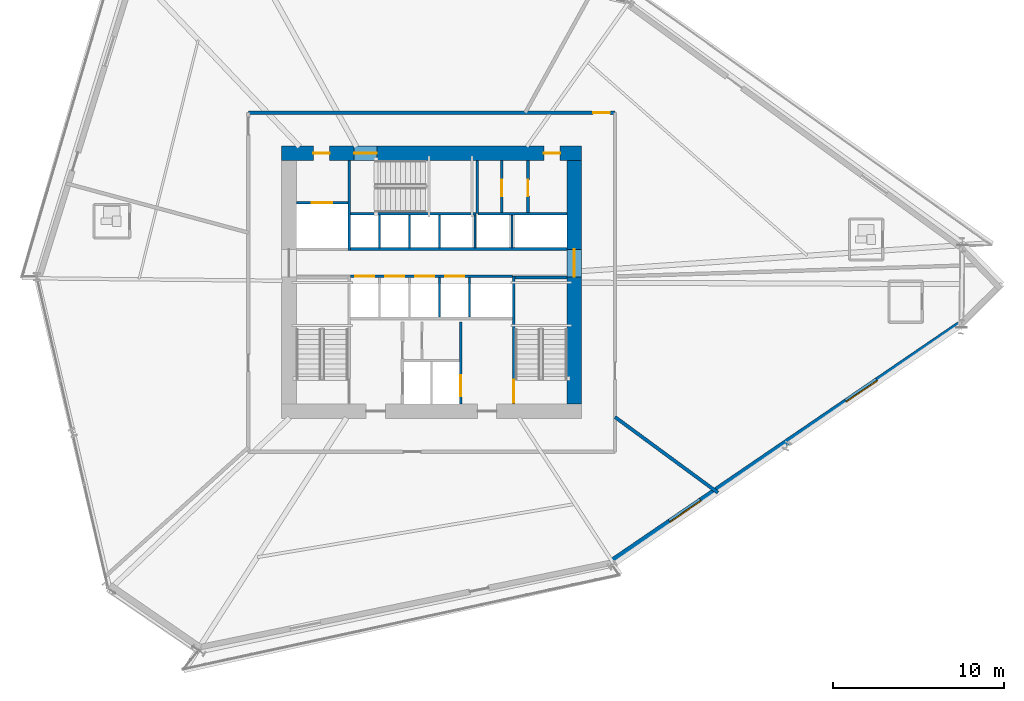
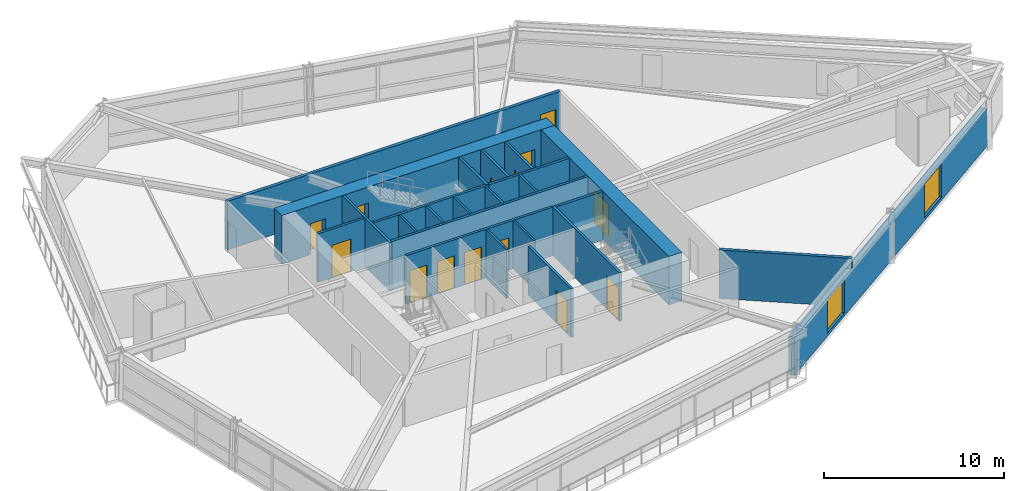
# One storey, part 17 of 23: 24 walls, 14 doors, 2 windows, 16 openings.
"""IFC4 building model written with IfcOpenShell, lengths in metres."""

from ifc_helpers import new_model, si_unit, direction, frame, frame_2d, origin, place, context, subcontext, project, spatial, rectangle, extrude, source, transform, mapped, material, layer, layer_set, type_object, type_shapes, element, fill, save


model = new_model("IFC4")

# Units and contexts
model_context = context("Model", 3, precision=1e-05, world=origin(), true_north=direction((0.0, 1.0)))
body_context = subcontext(model_context, "Body", "Model", "MODEL_VIEW")
ifc_project = project(units=[si_unit("LENGTHUNIT", "METRE"), si_unit("AREAUNIT", "SQUARE_METRE"), si_unit("VOLUMEUNIT", "CUBIC_METRE"), si_unit("PLANEANGLEUNIT", "RADIAN"), si_unit("MASSUNIT", "GRAM", prefix="KILO")], contexts=[model_context])

# Site, building, storey
site_placement = place(None, origin())
site = spatial("IfcSite", under=ifc_project, at=site_placement, CompositionType="ELEMENT")
building_placement = place(site_placement, origin())
building = spatial("IfcBuilding", under=site, at=building_placement, Name="Olszyna Solenne Hotel", CompositionType="ELEMENT")
storey_placement = place(building_placement, frame((0.0, 0.0, 32.85009765625)))
storey = spatial("IfcBuildingStorey", under=building, at=storey_placement, Name="L07", CompositionType="ELEMENT", Elevation=32.85009765625)

# Wall, openings, doors
ifc_material_1 = material(Name="Concrete C60/75", Category="concrete")
ifc_layer_1 = layer(ifc_material_1, 0.85009765625, Name="Concrete C60/75")
ifc_layer_set_1 = layer_set([ifc_layer_1], Name="Concrete C60/75")
wall_type_1 = type_object("IfcWallType", Name="WL-CR850", PredefinedType="SHEAR", material=ifc_layer_set_1)
wall_1_placement = place(storey_placement, frame((29.25, 34.125, 0.0), z_axis=(0.0, 0.0, 1.0), x_axis=(1.0, 0.0, 0.0)))
wall_1 = element("IfcWall", 1, at=wall_1_placement, inside=storey, type_object=wall_type_1, Name="Core shear wall WL-CR850 CRW-L07-N", PredefinedType="SHEAR", context=body_context, shape_type="SweptSolid", body=[
    extrude(rectangle(XDim=17.5, YDim=0.85009765625, at=frame_2d((8.75, 0.0))), origin(), (0.0, 0.0, 1.0), 3.2998046875),
])
opening_1_placement = place(wall_1_placement, frame((1.85009765625, 0.0, 0.0)))
opening_1 = element("IfcOpeningElement", 2, at=opening_1_placement, cuts=wall_1, Name="Opening SVD-L07-01", PredefinedType="OPENING", context=body_context, shape_type="SweptSolid", body=[
    extrude(rectangle(XDim=0.949951171875, YDim=2.10009765625, at=frame_2d((0.47509765625, 1.050048828125))), frame((0.0, 0.43505859375, 0.0), z_axis=(0.0, -1.0, 0.0), x_axis=(1.0, 0.0, 0.0)), (0.0, 0.0, 1.0), 0.8701171875),
])
opening_2_placement = place(wall_1_placement, frame((4.22998046875, 0.0, 0.0)))
opening_2 = element("IfcOpeningElement", 3, at=opening_2_placement, cuts=wall_1, Name="Opening STD-L07-03", PredefinedType="OPENING", context=body_context, shape_type="SweptSolid", body=[
    extrude(rectangle(XDim=1.320068359375, YDim=2.199951171875, at=frame_2d((0.66015625, 1.10009765625))), frame((0.0, 0.43505859375, 0.0), z_axis=(0.0, -1.0, 0.0), x_axis=(1.0, 0.0, 0.0)), (0.0, 0.0, 1.0), 0.8701171875),
])
opening_3_placement = place(wall_1_placement, frame((15.300048828125, 0.0, 0.0)))
opening_3 = element("IfcOpeningElement", 4, at=opening_3_placement, cuts=wall_1, Name="Opening SVD-L07-BN", PredefinedType="OPENING", context=body_context, shape_type="SweptSolid", body=[
    extrude(rectangle(XDim=0.949951171875, YDim=2.10009765625, at=frame_2d((0.47509765625, 1.050048828125))), frame((0.0, 0.43505859375, 0.0), z_axis=(0.0, -1.0, 0.0), x_axis=(1.0, 0.0, 0.0)), (0.0, 0.0, 1.0), 0.8701171875),
])
ifc_material_2 = material(Name="Steel S355J2", Category="steel")
door_type_1 = type_object("IfcDoorType", Name="DR-ST1", OperationType="NOTDEFINED", PredefinedType="DOOR", material=ifc_material_2)
shared_shape_1 = source(origin(), body_context, "Body", "SweptSolid", [
    extrude(rectangle(XDim=1.320068359375, YDim=2.199951171875, at=frame_2d((0.66015625, 1.10009765625))), frame((0.0, 0.02490234375, 0.0), z_axis=(0.0, -1.0, 0.0), x_axis=(1.0, 0.0, 0.0)), (0.0, 0.0, 1.0), 0.050048828125),
])
type_shapes(door_type_1, [shared_shape_1])
door_1_placement = place(opening_2_placement, origin())
door_1 = element("IfcDoor", 5, at=door_1_placement, inside=storey, type_object=door_type_1, Name="Pressurised exit stair ST3 fire door STD-L07-03", OperationType="SINGLE_SWING_RIGHT", OverallHeight=2.199951171875, OverallWidth=1.320068359375, PredefinedType="DOOR", context=body_context, shape_type="MappedRepresentation", body=[
    mapped(shared_shape_1, transform((0.0, 0.0, 0.0), x_axis=(1.0, 0.0, 0.0), y_axis=(0.0, 1.0, 0.0), z_axis=(0.0, 0.0, 1.0), scale=1.0)),
])
fill(opening_2, door_1)
door_type_2 = type_object("IfcDoorType", Name="DR-SV1", OperationType="NOTDEFINED", PredefinedType="DOOR", material=ifc_material_2)
shared_shape_2 = source(origin(), body_context, "Body", "SweptSolid", [
    extrude(rectangle(XDim=0.949951171875, YDim=2.10009765625, at=frame_2d((0.47509765625, 1.050048828125))), frame((0.0, 0.02490234375, 0.0), z_axis=(0.0, -1.0, 0.0), x_axis=(1.0, 0.0, 0.0)), (0.0, 0.0, 1.0), 0.050048828125),
])
type_shapes(door_type_2, [shared_shape_2])
door_2_placement = place(opening_1_placement, origin())
door_2 = element("IfcDoor", 6, at=door_2_placement, inside=storey, type_object=door_type_2, Name="Service lift lobby fire door SVD-L07-01", OperationType="SINGLE_SWING_LEFT", OverallHeight=2.10009765625, OverallWidth=0.949951171875, PredefinedType="DOOR", context=body_context, shape_type="MappedRepresentation", body=[
    mapped(shared_shape_2, transform((0.0, 0.0, 0.0), x_axis=(1.0, 0.0, 0.0), y_axis=(0.0, 1.0, 0.0), z_axis=(0.0, 0.0, 1.0), scale=1.0)),
])
fill(opening_1, door_2)
door_3_placement = place(opening_3_placement, origin())
door_3 = element("IfcDoor", 7, at=door_3_placement, inside=storey, type_object=door_type_2, Name="Housekeeping core fire door SVD-L07-BN", OperationType="SINGLE_SWING_LEFT", OverallHeight=2.10009765625, OverallWidth=0.949951171875, PredefinedType="DOOR", context=body_context, shape_type="MappedRepresentation", body=[
    mapped(shared_shape_2, transform((0.0, 0.0, 0.0), x_axis=(1.0, 0.0, 0.0), y_axis=(0.0, 1.0, 0.0), z_axis=(0.0, 0.0, 1.0), scale=1.0)),
])
fill(opening_3, door_3)

# Wall, opening, door
wall_2_placement = place(storey_placement, frame((46.324951171875, 33.699951171875, 0.0), z_axis=(0.0, 0.0, 1.0), x_axis=(0.0, -1.0, 0.0)))
wall_2 = element("IfcWall", 8, at=wall_2_placement, inside=storey, type_object=wall_type_1, Name="Core shear wall WL-CR850 CRW-L07-E", PredefinedType="SHEAR", context=body_context, shape_type="SweptSolid", body=[
    extrude(rectangle(XDim=14.199951171875, YDim=0.85009765625, at=frame_2d((7.10009765625, 0.0))), origin(), (0.0, 0.0, 1.0), 3.2998046875),
])
opening_4_placement = place(wall_2_placement, frame((5.179931640625, 0.0, 0.0)))
opening_4 = element("IfcOpeningElement", 9, at=opening_4_placement, cuts=wall_2, Name="Opening LHD-L07-E", PredefinedType="OPENING", context=body_context, shape_type="SweptSolid", body=[
    extrude(rectangle(XDim=1.60009765625, YDim=2.199951171875, at=frame_2d((0.800048828125, 1.10009765625))), frame((0.0, 0.43505859375, 0.0), z_axis=(0.0, -1.0, 0.0), x_axis=(1.0, 0.0, 0.0)), (0.0, 0.0, 1.0), 0.8701171875),
])
ifc_material_3 = material(Name="Timber hardwood", Category="wood")
door_type_3 = type_object("IfcDoorType", Name="DR-CR1", OperationType="DOUBLE_DOOR_SINGLE_SWING", PredefinedType="DOOR", material=ifc_material_3)
shared_shape_3 = source(origin(), body_context, "Body", "SweptSolid", [
    extrude(rectangle(XDim=1.60009765625, YDim=2.199951171875, at=frame_2d((0.800048828125, 1.10009765625))), frame((0.0, 0.02490234375, 0.0), z_axis=(0.0, -1.0, 0.0), x_axis=(1.0, 0.0, 0.0)), (0.0, 0.0, 1.0), 0.050048828125),
])
type_shapes(door_type_3, [shared_shape_3])
door_4_placement = place(opening_4_placement, origin())
door_4 = element("IfcDoor", 10, at=door_4_placement, inside=storey, type_object=door_type_3, Name="Passenger lift lobby East fire door LHD-L07-E", OperationType="DOUBLE_DOOR_SINGLE_SWING", OverallHeight=2.199951171875, OverallWidth=1.60009765625, PredefinedType="DOOR", context=body_context, shape_type="MappedRepresentation", body=[
    mapped(shared_shape_3, transform((0.0, 0.0, 0.0), x_axis=(1.0, 0.0, 0.0), y_axis=(0.0, 1.0, 0.0), z_axis=(0.0, 0.0, 1.0), scale=1.0)),
])
fill(opening_4, door_4)

# Wall, openings, windows
ifc_material_4 = material(Name="Terracotta cladding on precast concrete C45/55", Category="masonry")
ifc_layer_2 = layer(ifc_material_4, 0.3798828125, Name="Terracotta cladding on precast concrete C45/55")
ifc_layer_set_2 = layer_set([ifc_layer_2], Name="Terracotta cladding on precast concrete C45/55")
wall_type_2 = type_object("IfcWallType", Name="WL-EX380", PredefinedType="SOLIDWALL", material=ifc_layer_set_2)
wall_3_placement = place(storey_placement, frame((68.805419921875, 24.132080078125, 0.0), z_axis=(0.0, 0.0, 1.0), x_axis=(-0.826173505972, -0.563415777229, 0.0)))
wall_3 = element("IfcWall", 11, at=wall_3_placement, inside=storey, type_object=wall_type_2, Name="Exterior terracotta-precast frame wall WL-EX380 EW-L07-10", PredefinedType="SOLIDWALL", context=body_context, shape_type="SweptSolid", body=[
    extrude(rectangle(XDim=24.65869140625, YDim=0.3798828125, at=frame_2d((12.329345703125, 0.0))), origin(), (0.0, 0.0, 1.0), 2.591796875),
])
opening_5_placement = place(wall_3_placement, frame((5.803955078125, 0.0, 0.221923828125)))
opening_5 = element("IfcOpeningElement", 12, at=opening_5_placement, cuts=wall_3, Name="Opening WN-L07-029", PredefinedType="OPENING", context=body_context, shape_type="SweptSolid", body=[
    extrude(rectangle(XDim=2.199951171875, YDim=2.25, at=frame_2d((1.10009765625, 1.125))), frame((0.0, 0.199951171875, 0.0), z_axis=(0.0, -1.0, 0.0), x_axis=(1.0, 0.0, 0.0)), (0.0, 0.0, 1.0), 0.39990234375),
])
opening_6_placement = place(wall_3_placement, frame((18.25390625, 0.0, 0.221923828125)))
opening_6 = element("IfcOpeningElement", 13, at=opening_6_placement, cuts=wall_3, Name="Opening WN-L07-030", PredefinedType="OPENING", context=body_context, shape_type="SweptSolid", body=[
    extrude(rectangle(XDim=2.199951171875, YDim=2.25, at=frame_2d((1.10009765625, 1.125))), frame((0.0, 0.199951171875, 0.0), z_axis=(0.0, -1.0, 0.0), x_axis=(1.0, 0.0, 0.0)), (0.0, 0.0, 1.0), 0.39990234375),
])
ifc_material_5 = material(Name="Low-E triple glazing", Category="glass")
window_type = type_object("IfcWindowType", Name="WN-HT2", PartitioningType="SINGLE_PANEL", PredefinedType="WINDOW", material=ifc_material_5)
shared_shape_4 = source(origin(), body_context, "Body", "SweptSolid", [
    extrude(rectangle(XDim=2.199951171875, YDim=2.25, at=frame_2d((1.10009765625, 1.125))), frame((0.0, 0.030029296875, 0.0), z_axis=(0.0, -1.0, 0.0), x_axis=(1.0, 0.0, 0.0)), (0.0, 0.0, 1.0), 0.06005859375),
])
type_shapes(window_type, [shared_shape_4])
window_1_placement = place(opening_5_placement, origin())
window_1 = element("IfcWindow", 14, at=window_1_placement, inside=storey, type_object=window_type, Name="Exterior facade window WN-HT2 WN-L07-029", OverallHeight=2.25, OverallWidth=2.199951171875, PartitioningType="SINGLE_PANEL", PredefinedType="WINDOW", context=body_context, shape_type="MappedRepresentation", body=[
    mapped(shared_shape_4, transform((0.0, 0.0, 0.0), x_axis=(1.0, 0.0, 0.0), y_axis=(0.0, 1.0, 0.0), z_axis=(0.0, 0.0, 1.0), scale=1.0)),
])
fill(opening_5, window_1)
window_2_placement = place(opening_6_placement, origin())
window_2 = element("IfcWindow", 15, at=window_2_placement, inside=storey, type_object=window_type, Name="Exterior facade window WN-HT2 WN-L07-030", OverallHeight=2.25, OverallWidth=2.199951171875, PartitioningType="SINGLE_PANEL", PredefinedType="WINDOW", context=body_context, shape_type="MappedRepresentation", body=[
    mapped(shared_shape_4, transform((0.0, 0.0, 0.0), x_axis=(1.0, 0.0, 0.0), y_axis=(0.0, 1.0, 0.0), z_axis=(0.0, 0.0, 1.0), scale=1.0)),
])
fill(opening_6, window_2)

# Walls
ifc_material_6 = material(Name="Acoustic gypsum partition", Category="gypsum")
ifc_layer_3 = layer(ifc_material_6, 0.125, Name="Acoustic gypsum partition")
ifc_layer_set_3 = layer_set([ifc_layer_3], Name="Acoustic gypsum partition")
wall_type_3 = type_object("IfcWallType", Name="WL-PT125", PredefinedType="PARTITIONING", material=ifc_layer_set_3)
for number, where, z_axis, x_axis, name in (
    (16, (38.465087890625, 24.56005859375, 0.0), (0.0, 0.0, 1.0), (0.0, 1.0, 0.0), "Core shaft compartment wall CW-L07-DIVS384"),
    (17, (40.215087890625, 24.56005859375, 0.0), (0.0, 0.0, 1.0), (0.0, 1.0, 0.0), "Core shaft compartment wall CW-L07-DIVS402"),
):
    element("IfcWall", number, at=place(storey_placement, frame(where, z_axis=z_axis, x_axis=x_axis)), inside=storey, type_object=wall_type_3, Name=name, PredefinedType="PARTITIONING", context=body_context, shape_type="SweptSolid", body=[
        extrude(rectangle(XDim=2.31005859375, YDim=0.125, at=frame_2d((1.155029296875, 0.0))), origin(), (0.0, 0.0, 1.0), 3.2998046875),
    ])
for number, where, z_axis, x_axis, name in (
    (18, (34.965087890625, 28.60009765625, 0.0), (0.0, 0.0, 1.0), (0.0, 1.0, 0.0), "Core shaft compartment wall CW-L07-DIVN349"),
    (19, (36.715087890625, 28.60009765625, 0.0), (0.0, 0.0, 1.0), (0.0, 1.0, 0.0), "Core shaft compartment wall CW-L07-DIVN367"),
    (20, (38.465087890625, 28.60009765625, 0.0), (0.0, 0.0, 1.0), (0.0, 1.0, 0.0), "Core shaft compartment wall CW-L07-DIVN384"),
    (21, (40.52490234375, 28.60009765625, 0.0), (0.0, 0.0, 1.0), (0.0, 1.0, 0.0), "Core shaft compartment wall CW-L07-DIVEX405"),
    (22, (42.699951171875, 28.60009765625, 0.0), (0.0, 0.0, 1.0), (0.0, 1.0, 0.0), "Core shaft compartment wall CW-L07-DIVEX427"),
):
    element("IfcWall", number, at=place(storey_placement, frame(where, z_axis=z_axis, x_axis=x_axis)), inside=storey, type_object=wall_type_3, Name=name, PredefinedType="PARTITIONING", context=body_context, shape_type="SweptSolid", body=[
        extrude(rectangle(XDim=1.919921875, YDim=0.125, at=frame_2d((0.9599609375, 0.0))), origin(), (0.0, 0.0, 1.0), 3.2998046875),
    ])

# Wall, opening, door
ifc_layer_4 = layer(ifc_material_6, 0.159912109375, Name="Acoustic gypsum partition")
ifc_layer_set_4 = layer_set([ifc_layer_4], Name="Acoustic gypsum partition")
wall_type_4 = type_object("IfcWallType", Name="WL-PT160", PredefinedType="PARTITIONING", material=ifc_layer_set_4)
wall_4_placement = place(storey_placement, frame((42.800048828125, 26.9599609375, 0.0), z_axis=(0.0, 0.0, 1.0), x_axis=(0.0, -1.0, 0.0)))
wall_4 = element("IfcWall", 23, at=wall_4_placement, inside=storey, type_object=wall_type_4, Name="Core shaft compartment wall CW-L07-ST2W", PredefinedType="PARTITIONING", context=body_context, shape_type="SweptSolid", body=[
    extrude(rectangle(XDim=7.4599609375, YDim=0.159912109375, at=frame_2d((3.72998046875, 0.0))), origin(), (0.0, 0.0, 1.0), 3.2998046875),
])
opening_7_placement = place(wall_4_placement, frame((6.06005859375, 0.0, 0.0)))
opening_7 = element("IfcOpeningElement", 24, at=opening_7_placement, cuts=wall_4, Name="Opening STD-L07-02", PredefinedType="OPENING", context=body_context, shape_type="SweptSolid", body=[
    extrude(rectangle(XDim=1.320068359375, YDim=2.199951171875, at=frame_2d((0.66015625, 1.10009765625))), frame((0.0, 0.08984375, 0.0), z_axis=(0.0, -1.0, 0.0), x_axis=(1.0, 0.0, 0.0)), (0.0, 0.0, 1.0), 0.179931640625),
])
door_5_placement = place(opening_7_placement, origin())
door_5 = element("IfcDoor", 25, at=door_5_placement, inside=storey, type_object=door_type_1, Name="Pressurised exit stair ST2 fire door STD-L07-02", OperationType="SINGLE_SWING_RIGHT", OverallHeight=2.199951171875, OverallWidth=1.320068359375, PredefinedType="DOOR", context=body_context, shape_type="MappedRepresentation", body=[
    mapped(shared_shape_1, transform((0.0, 0.0, 0.0), x_axis=(1.0, 0.0, 0.0), y_axis=(0.0, 1.0, 0.0), z_axis=(0.0, 0.0, 1.0), scale=1.0)),
])
fill(opening_7, door_5)

# Walls
wall_5_placement = place(storey_placement, frame((42.8798828125, 26.8798828125, 0.0), z_axis=(0.0, 0.0, 1.0), x_axis=(1.0, 0.0, 0.0)))
element("IfcWall", 26, at=wall_5_placement, inside=storey, type_object=wall_type_4, Name="Core shaft compartment wall CW-L07-ST2N", PredefinedType="PARTITIONING", context=body_context, shape_type="SweptSolid", body=[
    extrude(rectangle(XDim=3.02001953125, YDim=0.159912109375, at=frame_2d((1.510009765625, 0.0))), origin(), (0.0, 0.0, 1.0), 3.2998046875),
])
wall_6_placement = place(storey_placement, frame((33.280029296875, 30.60009765625, 0.0), z_axis=(0.0, 0.0, 1.0), x_axis=(1.0, 0.0, 0.0)))
element("IfcWall", 27, at=wall_6_placement, inside=storey, type_object=wall_type_4, Name="Core shaft compartment wall CW-L07-ST3S", PredefinedType="PARTITIONING", context=body_context, shape_type="SweptSolid", body=[
    extrude(rectangle(XDim=7.300048828125, YDim=0.159912109375, at=frame_2d((3.64990234375, 0.0))), origin(), (0.0, 0.0, 1.0), 3.2998046875),
])
wall_7_placement = place(storey_placement, frame((40.659912109375, 30.60009765625, 0.0), z_axis=(0.0, 0.0, 1.0), x_axis=(0.0, 1.0, 0.0)))
element("IfcWall", 28, at=wall_7_placement, inside=storey, type_object=wall_type_4, Name="Core shaft compartment wall CW-L07-ST3E", PredefinedType="PARTITIONING", context=body_context, shape_type="SweptSolid", body=[
    extrude(rectangle(XDim=3.099853515625, YDim=0.159912109375, at=frame_2d((1.5498046875, 0.0))), origin(), (0.0, 0.0, 1.0), 3.2998046875),
])

# Wall, opening, door
wall_8_placement = place(storey_placement, frame((39.699951171875, 24.280029296875, 0.0), z_axis=(0.0, 0.0, 1.0), x_axis=(0.0, -1.0, 0.0)))
wall_8 = element("IfcWall", 29, at=wall_8_placement, inside=storey, type_object=wall_type_4, Name="Core shaft compartment wall CW-L07-FF2E", PredefinedType="PARTITIONING", context=body_context, shape_type="SweptSolid", body=[
    extrude(rectangle(XDim=4.780029296875, YDim=0.159912109375, at=frame_2d((2.39013671875, 0.0))), origin(), (0.0, 0.0, 1.0), 3.2998046875),
])
opening_8_placement = place(wall_8_placement, frame((3.1201171875, 0.0, 0.0)))
opening_8 = element("IfcOpeningElement", 30, at=opening_8_placement, cuts=wall_8, Name="Opening LD-L07-FF2", PredefinedType="OPENING", context=body_context, shape_type="SweptSolid", body=[
    extrude(rectangle(XDim=1.199951171875, YDim=2.199951171875, at=frame_2d((0.60009765625, 1.10009765625))), frame((0.0, 0.08984375, 0.0), z_axis=(0.0, -1.0, 0.0), x_axis=(1.0, 0.0, 0.0)), (0.0, 0.0, 1.0), 0.179931640625),
])
door_type_4 = type_object("IfcDoorType", Name="LD-FF1", OperationType="DOUBLE_DOOR_SLIDING", PredefinedType="DOOR", material=ifc_material_2)
shared_shape_5 = source(origin(), body_context, "Body", "SweptSolid", [
    extrude(rectangle(XDim=1.199951171875, YDim=2.199951171875, at=frame_2d((0.60009765625, 1.10009765625))), frame((0.0, 0.02490234375, 0.0), z_axis=(0.0, -1.0, 0.0), x_axis=(1.0, 0.0, 0.0)), (0.0, 0.0, 1.0), 0.050048828125),
])
type_shapes(door_type_4, [shared_shape_5])
door_6_placement = place(opening_8_placement, origin())
door_6 = element("IfcDoor", 31, at=door_6_placement, inside=storey, type_object=door_type_4, Name="Firefighters lift FF2 sliding landing door LD-L07-FF2", OperationType="DOUBLE_DOOR_SLIDING", OverallHeight=2.199951171875, OverallWidth=1.199951171875, PredefinedType="DOOR", context=body_context, shape_type="MappedRepresentation", body=[
    mapped(shared_shape_5, transform((0.0, 0.0, 0.0), x_axis=(1.0, 0.0, 0.0), y_axis=(0.0, 1.0, 0.0), z_axis=(0.0, 0.0, 1.0), scale=1.0)),
])
fill(opening_8, door_6)

# Wall
wall_9_placement = place(storey_placement, frame((33.199951171875, 28.43994140625, 0.0), z_axis=(0.0, 0.0, 1.0), x_axis=(0.0, 1.0, 0.0)))
element("IfcWall", 32, at=wall_9_placement, inside=storey, type_object=wall_type_4, Name="Core shaft compartment wall CW-L07-SV1E", PredefinedType="PARTITIONING", context=body_context, shape_type="SweptSolid", body=[
    extrude(rectangle(XDim=5.260009765625, YDim=0.159912109375, at=frame_2d((2.6298828125, 0.0))), origin(), (0.0, 0.0, 1.0), 3.2998046875),
])

# Wall, opening, door
wall_10_placement = place(storey_placement, frame((30.10009765625, 31.239990234375, 0.0), z_axis=(0.0, 0.0, 1.0), x_axis=(1.0, 0.0, 0.0)))
wall_10 = element("IfcWall", 33, at=wall_10_placement, inside=storey, type_object=wall_type_4, Name="Core shaft compartment wall CW-L07-SV1N", PredefinedType="PARTITIONING", context=body_context, shape_type="SweptSolid", body=[
    extrude(rectangle(XDim=3.02001953125, YDim=0.159912109375, at=frame_2d((1.510009765625, 0.0))), origin(), (0.0, 0.0, 1.0), 3.2998046875),
])
opening_9_placement = place(wall_10_placement, frame((0.909912109375, 0.0, 0.0)))
opening_9 = element("IfcOpeningElement", 34, at=opening_9_placement, cuts=wall_10, Name="Opening LD-L07-SV1", PredefinedType="OPENING", context=body_context, shape_type="SweptSolid", body=[
    extrude(rectangle(XDim=1.199951171875, YDim=2.199951171875, at=frame_2d((0.60009765625, 1.10009765625))), frame((0.0, 0.08984375, 0.0), z_axis=(0.0, -1.0, 0.0), x_axis=(1.0, 0.0, 0.0)), (0.0, 0.0, 1.0), 0.179931640625),
])
door_7_placement = place(opening_9_placement, origin())
door_7 = element("IfcDoor", 35, at=door_7_placement, inside=storey, type_object=door_type_4, Name="Service lift SV1 sliding landing door LD-L07-SV1", OperationType="DOUBLE_DOOR_SLIDING", OverallHeight=2.199951171875, OverallWidth=1.199951171875, PredefinedType="DOOR", context=body_context, shape_type="MappedRepresentation", body=[
    mapped(shared_shape_5, transform((0.0, 0.0, 0.0), x_axis=(1.0, 0.0, 0.0), y_axis=(0.0, 1.0, 0.0), z_axis=(0.0, 0.0, 1.0), scale=1.0)),
])
fill(opening_9, door_7)

# Wall, openings, doors
wall_11_placement = place(storey_placement, frame((33.280029296875, 26.949951171875, 0.0), z_axis=(0.0, 0.0, 1.0), x_axis=(1.0, 0.0, 0.0)))
wall_11 = element("IfcWall", 36, at=wall_11_placement, inside=storey, type_object=wall_type_4, Name="Core shaft compartment wall CW-L07-LRS", PredefinedType="PARTITIONING", context=body_context, shape_type="SweptSolid", body=[
    extrude(rectangle(XDim=9.43994140625, YDim=0.159912109375, at=frame_2d((4.719970703125, 0.0))), origin(), (0.0, 0.0, 1.0), 3.2998046875),
])
opening_10_placement = place(wall_11_placement, frame((0.260009765625, 0.0, 0.0)))
opening_10 = element("IfcOpeningElement", 37, at=opening_10_placement, cuts=wall_11, Name="Opening LD-L07-PL1", PredefinedType="OPENING", context=body_context, shape_type="SweptSolid", body=[
    extrude(rectangle(XDim=1.10009765625, YDim=2.199951171875, at=frame_2d((0.550048828125, 1.10009765625))), frame((0.0, 0.08984375, 0.0), z_axis=(0.0, -1.0, 0.0), x_axis=(1.0, 0.0, 0.0)), (0.0, 0.0, 1.0), 0.179931640625),
])
opening_11_placement = place(wall_11_placement, frame((2.010009765625, 0.0, 0.0)))
opening_11 = element("IfcOpeningElement", 38, at=opening_11_placement, cuts=wall_11, Name="Opening LD-L07-PL2", PredefinedType="OPENING", context=body_context, shape_type="SweptSolid", body=[
    extrude(rectangle(XDim=1.10009765625, YDim=2.199951171875, at=frame_2d((0.550048828125, 1.10009765625))), frame((0.0, 0.08984375, 0.0), z_axis=(0.0, -1.0, 0.0), x_axis=(1.0, 0.0, 0.0)), (0.0, 0.0, 1.0), 0.179931640625),
])
opening_12_placement = place(wall_11_placement, frame((3.760009765625, 0.0, 0.0)))
opening_12 = element("IfcOpeningElement", 39, at=opening_12_placement, cuts=wall_11, Name="Opening LD-L07-PL3", PredefinedType="OPENING", context=body_context, shape_type="SweptSolid", body=[
    extrude(rectangle(XDim=1.10009765625, YDim=2.199951171875, at=frame_2d((0.550048828125, 1.10009765625))), frame((0.0, 0.08984375, 0.0), z_axis=(0.0, -1.0, 0.0), x_axis=(1.0, 0.0, 0.0)), (0.0, 0.0, 1.0), 0.179931640625),
])
opening_13_placement = place(wall_11_placement, frame((5.510009765625, 0.0, 0.0)))
opening_13 = element("IfcOpeningElement", 40, at=opening_13_placement, cuts=wall_11, Name="Opening LD-L07-PL4", PredefinedType="OPENING", context=body_context, shape_type="SweptSolid", body=[
    extrude(rectangle(XDim=1.10009765625, YDim=2.199951171875, at=frame_2d((0.550048828125, 1.10009765625))), frame((0.0, 0.08984375, 0.0), z_axis=(0.0, -1.0, 0.0), x_axis=(1.0, 0.0, 0.0)), (0.0, 0.0, 1.0), 0.179931640625),
])
door_type_5 = type_object("IfcDoorType", Name="LD-P1", OperationType="DOUBLE_DOOR_SLIDING", PredefinedType="DOOR", material=ifc_material_2)
shared_shape_6 = source(origin(), body_context, "Body", "SweptSolid", [
    extrude(rectangle(XDim=1.10009765625, YDim=2.199951171875, at=frame_2d((0.550048828125, 1.10009765625))), frame((0.0, 0.02490234375, 0.0), z_axis=(0.0, -1.0, 0.0), x_axis=(1.0, 0.0, 0.0)), (0.0, 0.0, 1.0), 0.050048828125),
])
type_shapes(door_type_5, [shared_shape_6])
door_8_placement = place(opening_10_placement, origin())
door_8 = element("IfcDoor", 41, at=door_8_placement, inside=storey, type_object=door_type_5, Name="Passenger lift PL1 sliding landing door LD-L07-PL1", OperationType="DOUBLE_DOOR_SLIDING", OverallHeight=2.199951171875, OverallWidth=1.10009765625, PredefinedType="DOOR", context=body_context, shape_type="MappedRepresentation", body=[
    mapped(shared_shape_6, transform((0.0, 0.0, 0.0), x_axis=(1.0, 0.0, 0.0), y_axis=(0.0, 1.0, 0.0), z_axis=(0.0, 0.0, 1.0), scale=1.0)),
])
fill(opening_10, door_8)
door_9_placement = place(opening_11_placement, origin())
door_9 = element("IfcDoor", 42, at=door_9_placement, inside=storey, type_object=door_type_5, Name="Passenger lift PL2 sliding landing door LD-L07-PL2", OperationType="DOUBLE_DOOR_SLIDING", OverallHeight=2.199951171875, OverallWidth=1.10009765625, PredefinedType="DOOR", context=body_context, shape_type="MappedRepresentation", body=[
    mapped(shared_shape_6, transform((0.0, 0.0, 0.0), x_axis=(1.0, 0.0, 0.0), y_axis=(0.0, 1.0, 0.0), z_axis=(0.0, 0.0, 1.0), scale=1.0)),
])
fill(opening_11, door_9)
door_10_placement = place(opening_12_placement, origin())
door_10 = element("IfcDoor", 43, at=door_10_placement, inside=storey, type_object=door_type_5, Name="Passenger lift PL3 sliding landing door LD-L07-PL3", OperationType="DOUBLE_DOOR_SLIDING", OverallHeight=2.199951171875, OverallWidth=1.10009765625, PredefinedType="DOOR", context=body_context, shape_type="MappedRepresentation", body=[
    mapped(shared_shape_6, transform((0.0, 0.0, 0.0), x_axis=(1.0, 0.0, 0.0), y_axis=(0.0, 1.0, 0.0), z_axis=(0.0, 0.0, 1.0), scale=1.0)),
])
fill(opening_12, door_10)
door_11_placement = place(opening_13_placement, origin())
door_11 = element("IfcDoor", 44, at=door_11_placement, inside=storey, type_object=door_type_5, Name="Passenger lift PL4 sliding landing door LD-L07-PL4", OperationType="DOUBLE_DOOR_SLIDING", OverallHeight=2.199951171875, OverallWidth=1.10009765625, PredefinedType="DOOR", context=body_context, shape_type="MappedRepresentation", body=[
    mapped(shared_shape_6, transform((0.0, 0.0, 0.0), x_axis=(1.0, 0.0, 0.0), y_axis=(0.0, 1.0, 0.0), z_axis=(0.0, 0.0, 1.0), scale=1.0)),
])
fill(opening_13, door_11)

# Walls
wall_12_placement = place(storey_placement, frame((33.280029296875, 28.5400390625, 0.0), z_axis=(0.0, 0.0, 1.0), x_axis=(1.0, 0.0, 0.0)))
element("IfcWall", 45, at=wall_12_placement, inside=storey, type_object=wall_type_4, Name="Core shaft compartment wall CW-L07-LRN", PredefinedType="PARTITIONING", context=body_context, shape_type="SweptSolid", body=[
    extrude(rectangle(XDim=12.619873046875, YDim=0.159912109375, at=frame_2d((6.31005859375, 0.0))), origin(), (0.0, 0.0, 1.0), 3.2998046875),
])
wall_13_placement = place(storey_placement, frame((40.719970703125, 30.60009765625, 0.0), z_axis=(0.0, 0.0, 1.0), x_axis=(1.0, 0.0, 0.0)))
element("IfcWall", 46, at=wall_13_placement, inside=storey, type_object=wall_type_4, Name="Core shaft compartment wall CW-L07-LRNTOP", PredefinedType="PARTITIONING", context=body_context, shape_type="SweptSolid", body=[
    extrude(rectangle(XDim=5.179931640625, YDim=0.159912109375, at=frame_2d((2.58984375, 0.0))), origin(), (0.0, 0.0, 1.0), 3.2998046875),
])

# Wall, opening, door
wall_14_placement = place(storey_placement, frame((42.0849609375, 30.679931640625, 0.0), z_axis=(0.0, 0.0, 1.0), x_axis=(0.0, 1.0, 0.0)))
wall_14 = element("IfcWall", 47, at=wall_14_placement, inside=storey, type_object=wall_type_4, Name="Core shaft compartment wall CW-L07-BOH3A", PredefinedType="PARTITIONING", context=body_context, shape_type="SweptSolid", body=[
    extrude(rectangle(XDim=3.02001953125, YDim=0.159912109375, at=frame_2d((1.510009765625, 0.0))), origin(), (0.0, 0.0, 1.0), 3.2998046875),
])
opening_14_placement = place(wall_14_placement, frame((0.949951171875, 0.0, 0.0)))
opening_14 = element("IfcOpeningElement", 48, at=opening_14_placement, cuts=wall_14, Name="Opening SVD-L07-B31", PredefinedType="OPENING", context=body_context, shape_type="SweptSolid", body=[
    extrude(rectangle(XDim=0.949951171875, YDim=2.10009765625, at=frame_2d((0.47509765625, 1.050048828125))), frame((0.0, 0.08984375, 0.0), z_axis=(0.0, -1.0, 0.0), x_axis=(1.0, 0.0, 0.0)), (0.0, 0.0, 1.0), 0.179931640625),
])
door_12_placement = place(opening_14_placement, origin())
door_12 = element("IfcDoor", 49, at=door_12_placement, inside=storey, type_object=door_type_2, Name="BOH inter-room fire door SVD-L07-B31", OperationType="SINGLE_SWING_LEFT", OverallHeight=2.10009765625, OverallWidth=0.949951171875, PredefinedType="DOOR", context=body_context, shape_type="MappedRepresentation", body=[
    mapped(shared_shape_2, transform((0.0, 0.0, 0.0), x_axis=(1.0, 0.0, 0.0), y_axis=(0.0, 1.0, 0.0), z_axis=(0.0, 0.0, 1.0), scale=1.0)),
])
fill(opening_14, door_12)

wall_15_placement = place(storey_placement, frame((43.625, 30.679931640625, 0.0), z_axis=(0.0, 0.0, 1.0), x_axis=(0.0, 1.0, 0.0)))
wall_15 = element("IfcWall", 50, at=wall_15_placement, inside=storey, type_object=wall_type_4, Name="Core shaft compartment wall CW-L07-BOH3B", PredefinedType="PARTITIONING", context=body_context, shape_type="SweptSolid", body=[
    extrude(rectangle(XDim=3.02001953125, YDim=0.159912109375, at=frame_2d((1.510009765625, 0.0))), origin(), (0.0, 0.0, 1.0), 3.2998046875),
])
opening_15_placement = place(wall_15_placement, frame((0.949951171875, 0.0, 0.0)))
opening_15 = element("IfcOpeningElement", 51, at=opening_15_placement, cuts=wall_15, Name="Opening SVD-L07-B32", PredefinedType="OPENING", context=body_context, shape_type="SweptSolid", body=[
    extrude(rectangle(XDim=0.949951171875, YDim=2.10009765625, at=frame_2d((0.47509765625, 1.050048828125))), frame((0.0, 0.08984375, 0.0), z_axis=(0.0, -1.0, 0.0), x_axis=(1.0, 0.0, 0.0)), (0.0, 0.0, 1.0), 0.179931640625),
])
door_13_placement = place(opening_15_placement, origin())
door_13 = element("IfcDoor", 52, at=door_13_placement, inside=storey, type_object=door_type_2, Name="BOH inter-room fire door SVD-L07-B32", OperationType="SINGLE_SWING_LEFT", OverallHeight=2.10009765625, OverallWidth=0.949951171875, PredefinedType="DOOR", context=body_context, shape_type="MappedRepresentation", body=[
    mapped(shared_shape_2, transform((0.0, 0.0, 0.0), x_axis=(1.0, 0.0, 0.0), y_axis=(0.0, 1.0, 0.0), z_axis=(0.0, 0.0, 1.0), scale=1.0)),
])
fill(opening_15, door_13)

# Wall
ifc_layer_5 = layer(ifc_material_6, 0.199951171875, Name="Acoustic gypsum partition")
ifc_layer_set_5 = layer_set([ifc_layer_5], Name="Acoustic gypsum partition")
wall_type_5 = type_object("IfcWallType", Name="WL-PT200", PredefinedType="PARTITIONING", material=ifc_layer_set_5)
wall_16_placement = place(storey_placement, frame((48.699951171875, 18.735107421875, 0.0), z_axis=(0.0, 0.0, 1.0), x_axis=(0.805734708508, -0.592276607258, 0.0)))
element("IfcWall", 53, at=wall_16_placement, inside=storey, type_object=wall_type_5, Name="Interior acoustic partition WL-PT200 PW-L07-0404", PredefinedType="PARTITIONING", context=body_context, shape_type="SweptSolid", body=[
    extrude(rectangle(XDim=7.451416015625, YDim=0.199951171875, at=frame_2d((3.7255859375, 0.0))), origin(), (0.0, 0.0, 1.0), 3.2998046875),
])

# Wall, opening, door
wall_17_placement = place(storey_placement, frame((27.300048828125, 36.5, 0.0), z_axis=(0.0, 0.0, 1.0), x_axis=(1.0, 0.0, 0.0)))
wall_17 = element("IfcWall", 54, at=wall_17_placement, inside=storey, type_object=wall_type_5, Name="Interior acoustic partition WL-PT200 PW-L07-0419", PredefinedType="PARTITIONING", context=body_context, shape_type="SweptSolid", body=[
    extrude(rectangle(XDim=21.39990234375, YDim=0.199951171875, at=frame_2d((10.699951171875, 0.0))), origin(), (0.0, 0.0, 1.0), 3.2998046875),
])
opening_16_placement = place(wall_17_placement, frame((20.1201171875, 0.0, 0.0)))
opening_16 = element("IfcOpeningElement", 55, at=opening_16_placement, cuts=wall_17, Name="Opening DR-L07-0094", PredefinedType="OPENING", context=body_context, shape_type="SweptSolid", body=[
    extrude(rectangle(XDim=0.97998046875, YDim=2.14990234375, at=frame_2d((0.489990234375, 1.074951171875))), frame((0.0, 0.10986328125, 0.0), z_axis=(0.0, -1.0, 0.0), x_axis=(1.0, 0.0, 0.0)), (0.0, 0.0, 1.0), 0.219970703125),
])
door_type_6 = type_object("IfcDoorType", Name="DR-RM1", OperationType="NOTDEFINED", PredefinedType="DOOR", material=ifc_material_3)
shared_shape_7 = source(origin(), body_context, "Body", "SweptSolid", [
    extrude(rectangle(XDim=0.97998046875, YDim=2.14990234375, at=frame_2d((0.489990234375, 1.074951171875))), frame((0.0, 0.02490234375, 0.0), z_axis=(0.0, -1.0, 0.0), x_axis=(1.0, 0.0, 0.0)), (0.0, 0.0, 1.0), 0.050048828125),
])
type_shapes(door_type_6, [shared_shape_7])
door_14_placement = place(opening_16_placement, origin())
door_14 = element("IfcDoor", 56, at=door_14_placement, inside=storey, type_object=door_type_6, Name="Corner Panorama Suite Entrance Door DR-L07-0094", OperationType="SINGLE_SWING_RIGHT", OverallHeight=2.14990234375, OverallWidth=0.97998046875, PredefinedType="DOOR", context=body_context, shape_type="MappedRepresentation", body=[
    mapped(shared_shape_7, transform((0.0, 0.0, 0.0), x_axis=(1.0, 0.0, 0.0), y_axis=(0.0, 1.0, 0.0), z_axis=(0.0, 0.0, 1.0), scale=1.0)),
])
fill(opening_16, door_14)

save(model, "model.ifc")
